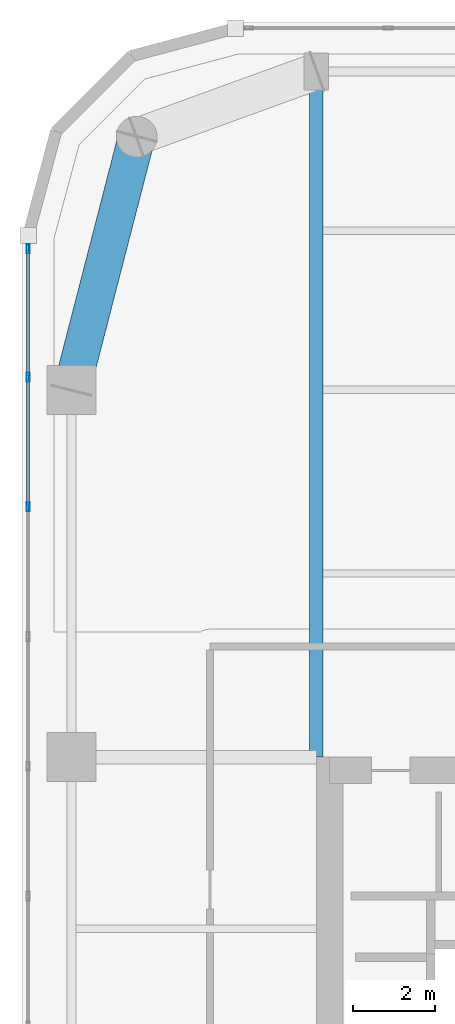
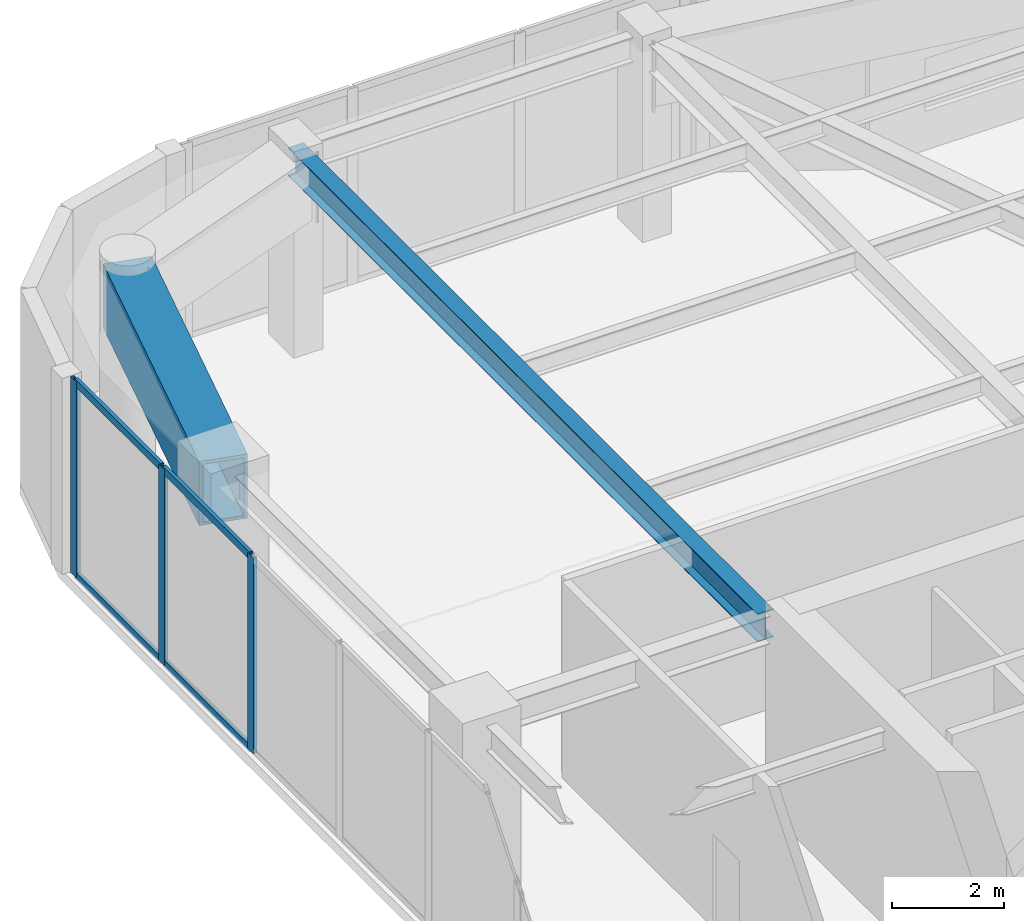
# One storey, part 4 of 18: 7 members, 2 beams, 1 element without a shape of its own.
"""IFC4 building model written with IfcOpenShell, lengths in metres."""

from ifc_helpers import new_model, si_unit, direction, frame, origin, origin_2d, place, context, subcontext, project, spatial, hollow_rectangle, i_section, extrude, material, layer, layer_set, material_profile, profile_set, type_object, element, aggregate, save


model = new_model("IFC4")

# Units and contexts
model_context = context("Model", 3, precision=1e-05, world=origin(), true_north=direction((0.0, 1.0)))
body_context = subcontext(model_context, "Body", "Model", "MODEL_VIEW")
ifc_project = project(units=[si_unit("LENGTHUNIT", "METRE"), si_unit("AREAUNIT", "SQUARE_METRE"), si_unit("VOLUMEUNIT", "CUBIC_METRE"), si_unit("PLANEANGLEUNIT", "RADIAN"), si_unit("MASSUNIT", "GRAM", prefix="KILO")], contexts=[model_context])

# Site, building, storey
site_placement = place(None, origin())
site = spatial("IfcSite", under=ifc_project, at=site_placement, CompositionType="ELEMENT")
building_placement = place(site_placement, origin())
building = spatial("IfcBuilding", under=site, at=building_placement, Name="Kiyonajd Concourse Tower", CompositionType="ELEMENT")
storey_placement = place(building_placement, frame((0.0, 0.0, 214.800048828125)))
storey = spatial("IfcBuildingStorey", under=building, at=storey_placement, Name="L54", CompositionType="ELEMENT", Elevation=214.800048828125)

# Beams
ifc_material_1 = material(Name="Steel ASTM A992 Grade 50", Category="steel")
ifc_material_profile_1 = material_profile(ifc_material_1, i_section(OverallWidth=0.323974609375, OverallDepth=0.611083984375, WebThickness=0.0126953125, FlangeThickness=0.01904296875, at=origin_2d()), Name="W610X155")
ifc_profile_set_1 = profile_set([ifc_material_profile_1], Name="Steel ASTM A992 Grade 50")
beam_type_1 = type_object("IfcBeamType", Name="BM-TWR-610B", PredefinedType="BEAM", material=ifc_profile_set_1)
beam_1_placement = place(storey_placement, frame((32.39990234375, 44.39990234375, 3.974365234375), z_axis=(0.0, 1.0, 0.0), x_axis=(-1.0, 0.0, 0.0)))
element("IfcBeam", 1, at=beam_1_placement, inside=storey, type_object=beam_type_1, Name="L54 North Lease Girder", PredefinedType="BEAM", context=body_context, shape_type="SweptSolid", body=[
    extrude(i_section(OverallWidth=0.323974609375, OverallDepth=0.611083984375, WebThickness=0.0126953125, FlangeThickness=0.01904296875, at=origin_2d()), origin(), (0.0, 0.0, 1.0), 16.800048828125),
])
ifc_material_2 = material(Name="Steel ASTM A572 Grade 50", Category="steel")
ifc_material_profile_2 = material_profile(ifc_material_2, hollow_rectangle(XDim=0.89990234375, YDim=1.39990234375, WallThickness=0.070068359375, at=origin_2d()), Name="BOX-1400x900x70")
ifc_profile_set_2 = profile_set([ifc_material_profile_2], Name="Steel ASTM A572 Grade 50")
beam_type_2 = type_object("IfcBeamType", Name="BM-XFER-1400", PredefinedType="BEAM", material=ifc_profile_set_2)
beam_2_placement = place(storey_placement, frame((28.0, 59.60009765625, 3.579833984375), z_axis=(-0.249884937687, -0.968275538221, 0.0), x_axis=(0.968275538221, -0.249884937687, 0.0)))
element("IfcBeam", 2, at=beam_2_placement, inside=storey, type_object=beam_type_2, Name="L54 Perimeter Bundled Tube Spandrel", PredefinedType="BEAM", context=body_context, shape_type="SweptSolid", body=[
    extrude(hollow_rectangle(XDim=0.89990234375, YDim=1.39990234375, WallThickness=0.070068359375, at=origin_2d()), origin(), (0.0, 0.0, 1.0), 6.4033203125),
])

# Curtain wall, members
ifc_material_3 = material(Name="Thermally Broken Anodised Aluminium", Category="aluminium")
ifc_layer = layer(ifc_material_3, 0.179931640625)
ifc_layer_set = layer_set([ifc_layer], Name="Thermally Broken Anodised Aluminium")
curtain_wall_type = type_object("IfcCurtainWallType", Name="CW-SYS-05", PredefinedType="NOTDEFINED", material=ifc_layer_set)
curtain_wall_placement = place(storey_placement, origin())
curtain_wall = element("IfcCurtainWall", 3, at=curtain_wall_placement, inside=storey, type_object=curtain_wall_type, Name="L54 Unitised Curtain Wall CW5", PredefinedType="NOTDEFINED")
ifc_material_profile_3 = material_profile(ifc_material_3, hollow_rectangle(XDim=0.074951171875, YDim=0.219970703125, WallThickness=0.0048828125, at=origin_2d()), Name="MULL-75x220")
ifc_profile_set_3 = profile_set([ifc_material_profile_3], Name="Thermally Broken Anodised Aluminium")
member_type_1 = type_object("IfcMemberType", Name="MB-CW-MULL2", PredefinedType="MULLION", material=ifc_profile_set_3)
member_1_placement = place(storey_placement, frame((25.340087890625, 50.53125, 0.0), z_axis=(0.0, 0.0, 1.0), x_axis=(-1.0, 0.0, 0.0)))
member_1 = element("IfcMember", 4, at=member_1_placement, type_object=member_type_1, Name="CW5 mullion 6", PredefinedType="MULLION", context=body_context, shape_type="SweptSolid", body=[
    extrude(hollow_rectangle(XDim=0.074951171875, YDim=0.219970703125, WallThickness=0.0048828125, at=origin_2d()), origin(), (0.0, 0.0, 1.0), 4.280029296875),
])
member_2_placement = place(storey_placement, frame((25.340087890625, 53.71142578125, 0.0), z_axis=(0.0, 0.0, 1.0), x_axis=(-1.0, 0.0, 0.0)))
member_2 = element("IfcMember", 5, at=member_2_placement, type_object=member_type_1, Name="CW5 mullion 7", PredefinedType="MULLION", context=body_context, shape_type="SweptSolid", body=[
    extrude(hollow_rectangle(XDim=0.074951171875, YDim=0.219970703125, WallThickness=0.0048828125, at=origin_2d()), origin(), (0.0, 0.0, 1.0), 4.280029296875),
])
member_3_placement = place(storey_placement, frame((25.340087890625, 56.85400390625, 0.0), z_axis=(0.0, 0.0, 1.0), x_axis=(-1.0, 0.0, 0.0)))
member_3 = element("IfcMember", 6, at=member_3_placement, type_object=member_type_1, Name="CW5 mullion 8", PredefinedType="MULLION", context=body_context, shape_type="SweptSolid", body=[
    extrude(hollow_rectangle(XDim=0.074951171875, YDim=0.219970703125, WallThickness=0.0048828125, at=origin_2d()), origin(), (0.0, 0.0, 1.0), 4.280029296875),
])
ifc_material_profile_4 = material_profile(ifc_material_3, hollow_rectangle(XDim=0.074951171875, YDim=0.159912109375, WallThickness=0.0048828125, at=origin_2d()), Name="TRAN-75x160")
ifc_profile_set_4 = profile_set([ifc_material_profile_4], Name="Thermally Broken Anodised Aluminium")
member_type_2 = type_object("IfcMemberType", Name="MB-CW-TRAN2", PredefinedType="USERDEFINED", material=ifc_profile_set_4)
member_4_placement = place(storey_placement, frame((25.340087890625, 50.568603515625, 0.037353515625), z_axis=(0.0, 1.0, 0.0), x_axis=(-1.0, 0.0, 0.0)))
member_4 = element("IfcMember", 7, at=member_4_placement, type_object=member_type_2, Name="CW5 transom 6.1", ObjectType="TRANSOM", PredefinedType="USERDEFINED", context=body_context, shape_type="SweptSolid", body=[
    extrude(hollow_rectangle(XDim=0.074951171875, YDim=0.159912109375, WallThickness=0.0048828125, at=origin_2d()), origin(), (0.0, 0.0, 1.0), 3.105224609375),
])
member_5_placement = place(storey_placement, frame((25.340087890625, 50.568603515625, 4.242431640625), z_axis=(0.0, 1.0, 0.0), x_axis=(-1.0, 0.0, 0.0)))
member_5 = element("IfcMember", 8, at=member_5_placement, type_object=member_type_2, Name="CW5 transom 6.2", ObjectType="TRANSOM", PredefinedType="USERDEFINED", context=body_context, shape_type="SweptSolid", body=[
    extrude(hollow_rectangle(XDim=0.074951171875, YDim=0.159912109375, WallThickness=0.0048828125, at=origin_2d()), origin(), (0.0, 0.0, 1.0), 3.105224609375),
])
member_6_placement = place(storey_placement, frame((25.340087890625, 53.748779296875, 0.037353515625), z_axis=(0.0, 1.0, 0.0), x_axis=(-1.0, 0.0, 0.0)))
member_6 = element("IfcMember", 9, at=member_6_placement, type_object=member_type_2, Name="CW5 transom 7.1", ObjectType="TRANSOM", PredefinedType="USERDEFINED", context=body_context, shape_type="SweptSolid", body=[
    extrude(hollow_rectangle(XDim=0.074951171875, YDim=0.159912109375, WallThickness=0.0048828125, at=origin_2d()), origin(), (0.0, 0.0, 1.0), 3.06787109375),
])
member_7_placement = place(storey_placement, frame((25.340087890625, 53.748779296875, 4.242431640625), z_axis=(0.0, 1.0, 0.0), x_axis=(-1.0, 0.0, 0.0)))
member_7 = element("IfcMember", 10, at=member_7_placement, type_object=member_type_2, Name="CW5 transom 7.2", ObjectType="TRANSOM", PredefinedType="USERDEFINED", context=body_context, shape_type="SweptSolid", body=[
    extrude(hollow_rectangle(XDim=0.074951171875, YDim=0.159912109375, WallThickness=0.0048828125, at=origin_2d()), origin(), (0.0, 0.0, 1.0), 3.06787109375),
])
aggregate(curtain_wall, [member_1, member_2, member_3, member_4, member_5, member_6, member_7])

save(model, "model.ifc")
